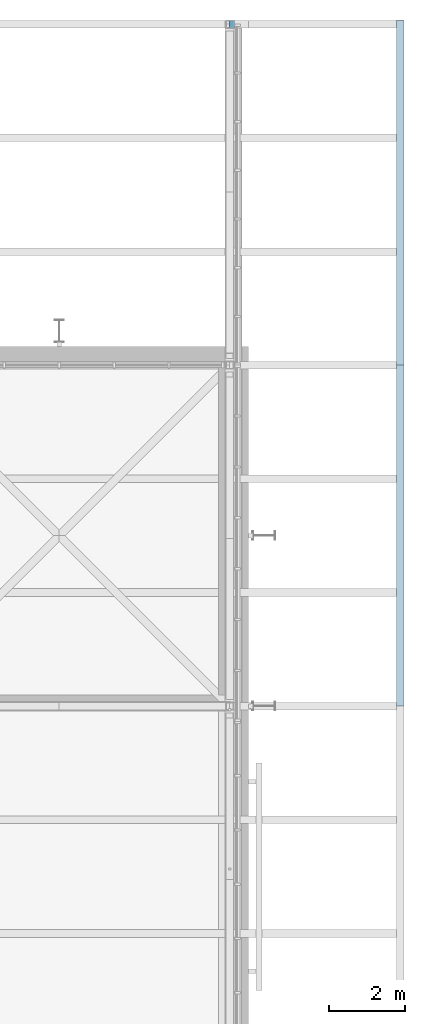
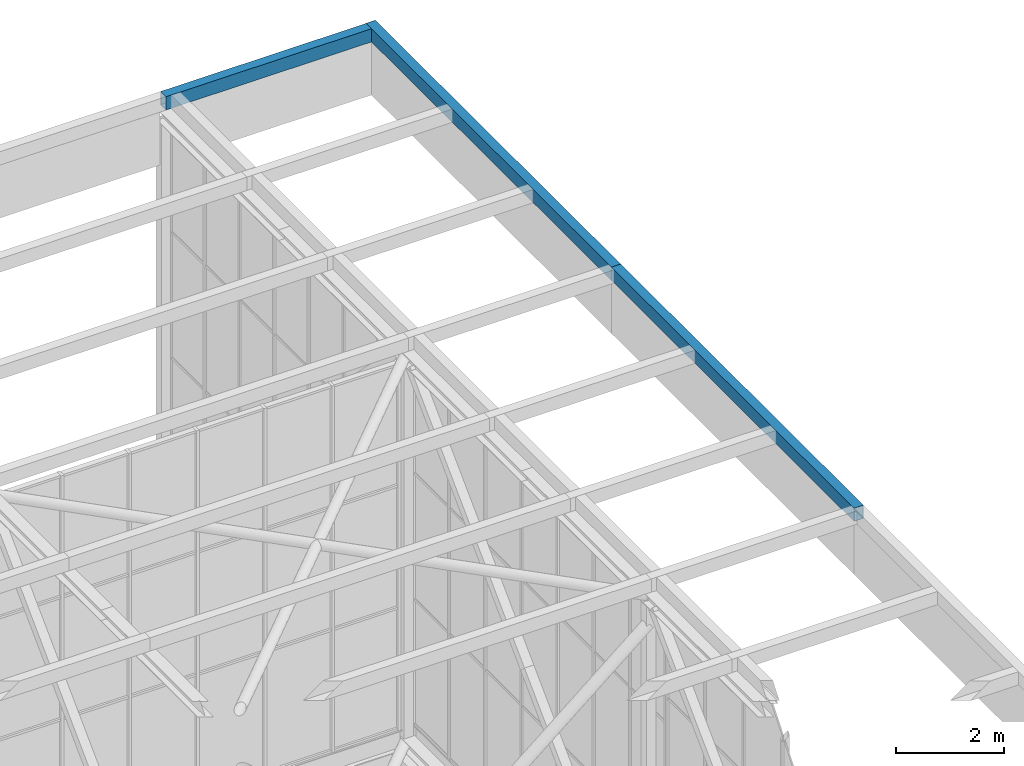
# One storey, part 136 of 646: 3 members.
"""IFC4 building model written with IfcOpenShell, lengths in metres."""

from ifc_helpers import new_model, si_unit, direction, frame, origin, origin_2d, place, context, subcontext, project, spatial, hollow_rectangle, extrude, material, material_profile, profile_set, type_object, element, save


model = new_model("IFC4")

# Units and contexts
model_context = context("Model", 3, precision=1e-05, world=origin(), true_north=direction((0.0, 1.0)))
body_context = subcontext(model_context, "Body", "Model", "MODEL_VIEW")
ifc_project = project(units=[si_unit("LENGTHUNIT", "METRE"), si_unit("AREAUNIT", "SQUARE_METRE"), si_unit("VOLUMEUNIT", "CUBIC_METRE"), si_unit("PLANEANGLEUNIT", "RADIAN"), si_unit("MASSUNIT", "GRAM", prefix="KILO")], contexts=[model_context])

# Site, building, storey
site_placement = place(None, origin())
site = spatial("IfcSite", under=ifc_project, at=site_placement, CompositionType="ELEMENT")
building_placement = place(site_placement, origin())
building = spatial("IfcBuilding", under=site, at=building_placement, Name="Silverbay Arena", CompositionType="ELEMENT")
storey_placement = place(building_placement, frame((0.0, 0.0, 33.5)))
storey = spatial("IfcBuildingStorey", under=building, at=storey_placement, Name="L05", CompositionType="ELEMENT", Elevation=33.5)

# Members
ifc_material = material(Name="Steel S355", Category="steel")
ifc_material_profile = material_profile(ifc_material, hollow_rectangle(XDim=0.199951171875, YDim=0.300048828125, WallThickness=0.008056640625, at=origin_2d()), Name="RHS 300x200x8")
ifc_profile_set = profile_set([ifc_material_profile], Name="Steel S355")
member_type = type_object("IfcMemberType", Name="Purlin RHS 300x200x8", PredefinedType="PURLIN", material=ifc_profile_set)
member_1_placement = place(storey_placement, frame((211.39990234375, 153.0, 13.14990234375), z_axis=(-1.0, 0.0, 0.0), x_axis=(0.0, -1.0, 0.0)))
element("IfcMember", 1, at=member_1_placement, inside=storey, type_object=member_type, Name="ROOF PURLIN east eave line 49", PredefinedType="PURLIN", context=body_context, shape_type="SweptSolid", body=[
    extrude(hollow_rectangle(XDim=0.199951171875, YDim=0.300048828125, WallThickness=0.008056640625, at=origin_2d()), origin(), (0.0, 0.0, 1.0), 4.39990234375),
])
member_2_placement = place(storey_placement, frame((211.5, 135.0, 13.14990234375), z_axis=(0.0, 1.0, 0.0), x_axis=(-1.0, 0.0, 0.0)))
element("IfcMember", 2, at=member_2_placement, inside=storey, type_object=member_type, Name="ROOF PURLIN east eave edge 15", PredefinedType="PURLIN", context=body_context, shape_type="SweptSolid", body=[
    extrude(hollow_rectangle(XDim=0.199951171875, YDim=0.300048828125, WallThickness=0.008056640625, at=origin_2d()), origin(), (0.0, 0.0, 1.0), 9.0),
])
member_3_placement = place(storey_placement, frame((211.5, 144.0, 13.14990234375), z_axis=(0.0, 1.0, 0.0), x_axis=(-1.0, 0.0, 0.0)))
element("IfcMember", 3, at=member_3_placement, inside=storey, type_object=member_type, Name="ROOF PURLIN east eave edge 16", PredefinedType="PURLIN", context=body_context, shape_type="SweptSolid", body=[
    extrude(hollow_rectangle(XDim=0.199951171875, YDim=0.300048828125, WallThickness=0.008056640625, at=origin_2d()), origin(), (0.0, 0.0, 1.0), 9.10009765625),
])

save(model, "model.ifc")
